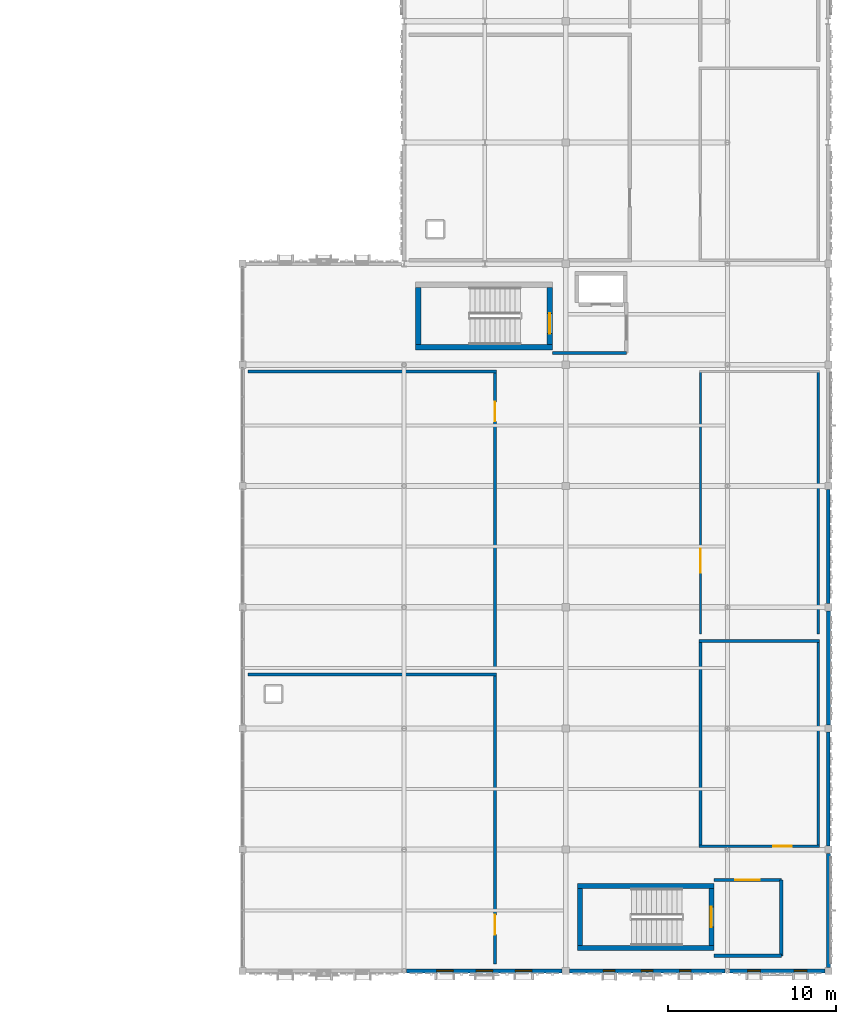
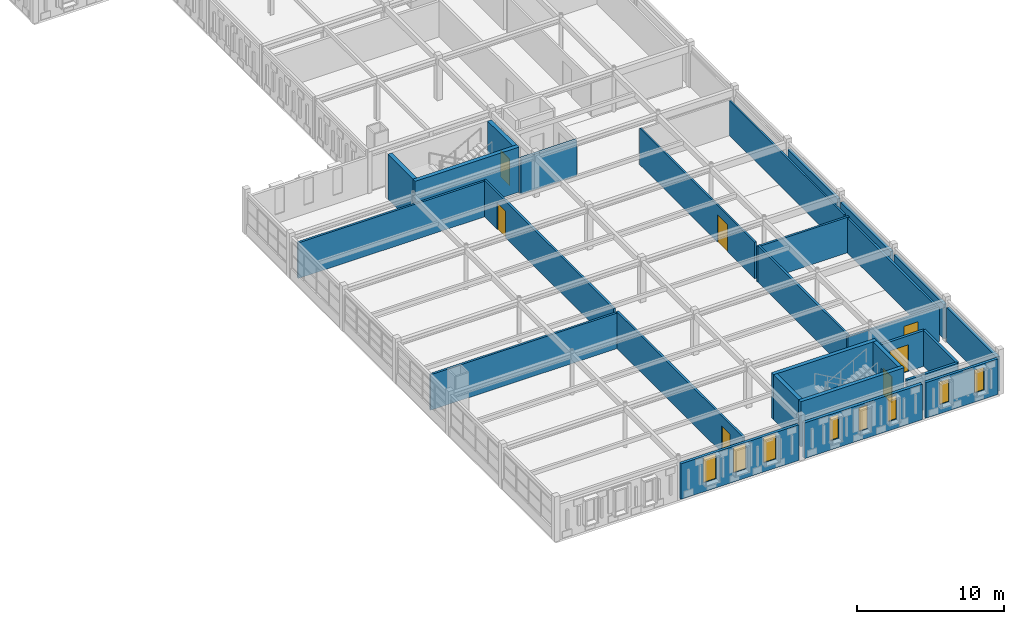
# One storey, part 29 of 46: 28 walls, 8 windows, 7 doors, 15 openings.
"""IFC4 building model written with IfcOpenShell, lengths in metres."""

from ifc_helpers import new_model, si_unit, direction, frame, frame_2d, origin, place, context, subcontext, project, spatial, rectangle, extrude, material, layer, layer_set, type_object, element, fill, save


model = new_model("IFC4")

# Units and contexts
model_context = context("Model", 3, precision=1e-05, world=origin(), true_north=direction((0.0, 1.0)))
body_context = subcontext(model_context, "Body", "Model", "MODEL_VIEW")
ifc_project = project(units=[si_unit("LENGTHUNIT", "METRE"), si_unit("AREAUNIT", "SQUARE_METRE"), si_unit("VOLUMEUNIT", "CUBIC_METRE"), si_unit("PLANEANGLEUNIT", "RADIAN"), si_unit("MASSUNIT", "GRAM", prefix="KILO")], contexts=[model_context])

# Site, building, storey
site_placement = place(None, origin())
site = spatial("IfcSite", under=ifc_project, at=site_placement, CompositionType="ELEMENT")
building_placement = place(site_placement, origin())
building = spatial("IfcBuilding", under=site, at=building_placement, Name="Nzembalo Square Collegiate School", CompositionType="ELEMENT")
storey_placement = place(building_placement, frame((0.0, 0.0, 17.340087890625)))
storey = spatial("IfcBuildingStorey", under=building, at=storey_placement, Name="L04", CompositionType="ELEMENT", Elevation=17.340087890625)

# Walls
ifc_material_1 = material(Name="Concrete C40/50", Category="concrete")
ifc_layer_1 = layer(ifc_material_1, 0.320068359375, Name="Concrete C40/50")
ifc_layer_set_1 = layer_set([ifc_layer_1], Name="Concrete C40/50")
wall_type_1 = type_object("IfcWallType", Name="SW01", PredefinedType="SHEAR", material=ifc_layer_set_1)
wall_1_placement = place(storey_placement, frame((141.239990234375, 45.60009765625, 0.0), z_axis=(0.0, 0.0, 1.0), x_axis=(0.0, 1.0, 0.0)))
element("IfcWall", 1, at=wall_1_placement, inside=storey, type_object=wall_type_1, Name="Core C5 stair shear wall W L04", PredefinedType="SHEAR", context=body_context, shape_type="SweptSolid", body=[
    extrude(rectangle(XDim=3.39990234375, YDim=0.320068359375, at=frame_2d((1.699951171875, 0.0))), origin(), (0.0, 0.0, 1.0), 3.739990234375),
])
wall_2_placement = place(storey_placement, frame((141.080078125, 45.43994140625, 0.0), z_axis=(0.0, 0.0, 1.0), x_axis=(1.0, 0.0, 0.0)))
element("IfcWall", 2, at=wall_2_placement, inside=storey, type_object=wall_type_1, Name="Core C5 stair shear wall S L04", PredefinedType="SHEAR", context=body_context, shape_type="SweptSolid", body=[
    extrude(rectangle(XDim=8.139892578125, YDim=0.320068359375, at=frame_2d((4.06982421875, 0.0))), origin(), (0.0, 0.0, 1.0), 3.739990234375),
])

# Wall, opening, door
wall_3_placement = place(storey_placement, frame((149.06005859375, 45.60009765625, 0.0), z_axis=(0.0, 0.0, 1.0), x_axis=(0.0, 1.0, 0.0)))
wall_3 = element("IfcWall", 3, at=wall_3_placement, inside=storey, type_object=wall_type_1, Name="Core C5 stair shear wall E L04", PredefinedType="SHEAR", context=body_context, shape_type="SweptSolid", body=[
    extrude(rectangle(XDim=3.39990234375, YDim=0.320068359375, at=frame_2d((1.699951171875, 0.0))), origin(), (0.0, 0.0, 1.0), 3.739990234375),
])
opening_1_placement = place(wall_3_placement, frame((0.64990234375, 0.0, 0.0)))
opening_1 = element("IfcOpeningElement", 4, at=opening_1_placement, cuts=wall_3, Name="Opening FD-054", PredefinedType="OPENING", context=body_context, shape_type="SweptSolid", body=[
    extrude(rectangle(XDim=1.199951171875, YDim=2.199951171875, at=frame_2d((0.60009765625, 1.10009765625))), frame((0.0, 0.169921875, 0.0), z_axis=(0.0, -1.0, 0.0), x_axis=(1.0, 0.0, 0.0)), (0.0, 0.0, 1.0), 0.340087890625),
])
ifc_material_2 = material(Name="Fire-rated steel acoustic door", Category="steel")
door_type_1 = type_object("IfcDoorType", Name="FD01", OperationType="NOTDEFINED", PredefinedType="DOOR", material=ifc_material_2)
door_1_placement = place(opening_1_placement, origin())
door_1 = element("IfcDoor", 5, at=door_1_placement, inside=storey, type_object=door_type_1, Name="Stair fire door FD-054", OperationType="SINGLE_SWING_RIGHT", OverallHeight=2.199951171875, OverallWidth=1.199951171875, PredefinedType="DOOR", context=body_context, shape_type="SweptSolid", body=[
    extrude(rectangle(XDim=1.199951171875, YDim=2.199951171875, at=frame_2d((0.60009765625, 1.10009765625))), frame((0.0, 0.02490234375, 0.0), z_axis=(0.0, -1.0, 0.0), x_axis=(1.0, 0.0, 0.0)), (0.0, 0.0, 1.0), 0.050048828125),
])
fill(opening_1, door_1)

# Walls
ifc_material_3 = material(Name="Concrete C40/50", Category="concrete")
ifc_layer_2 = layer(ifc_material_3, 0.300048828125, Name="Concrete C40/50")
ifc_layer_set_2 = layer_set([ifc_layer_2], Name="Concrete C40/50")
wall_type_2 = type_object("IfcWallType", Name="SW02", PredefinedType="SHEAR", material=ifc_layer_set_2)
wall_4_placement = place(storey_placement, frame((150.85009765625, 9.89990234375, 0.0), z_axis=(0.0, 0.0, 1.0), x_axis=(0.0, 1.0, 0.0)))
element("IfcWall", 6, at=wall_4_placement, inside=storey, type_object=wall_type_2, Name="Core C6 stair shear wall W L04", PredefinedType="SHEAR", context=body_context, shape_type="SweptSolid", body=[
    extrude(rectangle(XDim=3.400146484375, YDim=0.300048828125, at=frame_2d((1.7001953125, 0.0))), origin(), (0.0, 0.0, 1.0), 3.739990234375),
])
for number, where, z_axis, x_axis, name in (
    (7, (150.699951171875, 9.75, 0.0), (0.0, 0.0, 1.0), (1.0, 0.0, 0.0), "Core C6 stair shear wall S L04"),
    (8, (150.699951171875, 13.449951171875, 0.0), (0.0, 0.0, 1.0), (1.0, 0.0, 0.0), "Core C6 stair shear wall N L04"),
):
    element("IfcWall", number, at=place(storey_placement, frame(where, z_axis=z_axis, x_axis=x_axis)), inside=storey, type_object=wall_type_2, Name=name, PredefinedType="SHEAR", context=body_context, shape_type="SweptSolid", body=[
        extrude(rectangle(XDim=8.10009765625, YDim=0.300048828125, at=frame_2d((4.050048828125, 0.0))), origin(), (0.0, 0.0, 1.0), 3.739990234375),
    ])

# Wall, opening, door
wall_5_placement = place(storey_placement, frame((158.64990234375, 9.89990234375, 0.0), z_axis=(0.0, 0.0, 1.0), x_axis=(0.0, 1.0, 0.0)))
wall_5 = element("IfcWall", 9, at=wall_5_placement, inside=storey, type_object=wall_type_2, Name="Core C6 stair shear wall E L04", PredefinedType="SHEAR", context=body_context, shape_type="SweptSolid", body=[
    extrude(rectangle(XDim=3.400146484375, YDim=0.300048828125, at=frame_2d((1.7001953125, 0.0))), origin(), (0.0, 0.0, 1.0), 3.739990234375),
])
opening_2_placement = place(wall_5_placement, frame((1.10009765625, 0.0, 0.0)))
opening_2 = element("IfcOpeningElement", 10, at=opening_2_placement, cuts=wall_5, Name="Opening FD-066", PredefinedType="OPENING", context=body_context, shape_type="SweptSolid", body=[
    extrude(rectangle(XDim=1.199951171875, YDim=2.199951171875, at=frame_2d((0.60009765625, 1.10009765625))), frame((0.0, 0.16015625, 0.0), z_axis=(0.0, -1.0, 0.0), x_axis=(1.0, 0.0, 0.0)), (0.0, 0.0, 1.0), 0.320068359375),
])
door_2_placement = place(opening_2_placement, origin())
door_2 = element("IfcDoor", 11, at=door_2_placement, inside=storey, type_object=door_type_1, Name="Stair fire door FD-066", OperationType="SINGLE_SWING_RIGHT", OverallHeight=2.199951171875, OverallWidth=1.199951171875, PredefinedType="DOOR", context=body_context, shape_type="SweptSolid", body=[
    extrude(rectangle(XDim=1.199951171875, YDim=2.199951171875, at=frame_2d((0.60009765625, 1.10009765625))), frame((0.0, 0.02490234375, 0.0), z_axis=(0.0, -1.0, 0.0), x_axis=(1.0, 0.0, 0.0)), (0.0, 0.0, 1.0), 0.050048828125),
])
fill(opening_2, door_2)

# Walls
ifc_material_4 = material(Name="CLT CL24", Category="wood")
ifc_layer_3 = layer(ifc_material_4, 0.2451171875, Name="CLT CL24")
ifc_layer_set_3 = layer_set([ifc_layer_3], Name="CLT CL24")
wall_type_3 = type_object("IfcWallType", Name="W07", PredefinedType="SOLIDWALL", material=ifc_layer_set_3)
wall_6_placement = place(storey_placement, frame((165.60009765625, 8.612060546875, 0.0), z_axis=(0.0, 0.0, 1.0), x_axis=(0.0, 1.0, 0.0)))
element("IfcWall", 12, at=wall_6_placement, inside=storey, type_object=wall_type_3, Name="Exterior wall W07 L04", PredefinedType="SOLIDWALL", context=body_context, shape_type="SweptSolid", body=[
    extrude(rectangle(XDim=6.77587890625, YDim=0.2451171875, at=frame_2d((3.387939453125, 0.0))), origin(), (0.0, 0.0, 1.0), 2.868896484375),
])
wall_7_placement = place(storey_placement, frame((165.60009765625, 23.011962890625, 0.0), z_axis=(0.0, 0.0, 1.0), x_axis=(0.0, 1.0, 0.0)))
element("IfcWall", 13, at=wall_7_placement, inside=storey, type_object=wall_type_3, Name="Exterior wall W07 L04", PredefinedType="SOLIDWALL", context=body_context, shape_type="SweptSolid", body=[
    extrude(rectangle(XDim=6.776123046875, YDim=0.2451171875, at=frame_2d((3.38818359375, 0.0))), origin(), (0.0, 0.0, 1.0), 2.868896484375),
])

# Wall, openings, windows
wall_8_placement = place(storey_placement, frame((150.2119140625, 8.39990234375, 0.0), z_axis=(0.0, 0.0, 1.0), x_axis=(1.0, 0.0, 0.0)))
wall_8 = element("IfcWall", 14, at=wall_8_placement, inside=storey, type_object=wall_type_3, Name="Exterior wall W07 L04", PredefinedType="SOLIDWALL", context=body_context, shape_type="SweptSolid", body=[
    extrude(rectangle(XDim=9.24951171875, YDim=0.2451171875, at=frame_2d((4.624755859375, 0.0))), origin(), (0.0, 0.0, 1.0), 2.948974609375),
])
opening_3_placement = place(wall_8_placement, frame((2.0224609375, 0.0, 0.75)))
opening_3 = element("IfcOpeningElement", 15, at=opening_3_placement, cuts=wall_8, Name="Opening WN-L04-947", PredefinedType="OPENING", context=body_context, shape_type="SweptSolid", body=[
    extrude(rectangle(XDim=0.679931640625, YDim=1.9599609375, at=frame_2d((0.33984375, 0.97998046875))), frame((0.0, 0.132568359375, 0.0), z_axis=(0.0, -1.0, 0.0), x_axis=(1.0, 0.0, 0.0)), (0.0, 0.0, 1.0), 0.26513671875),
])
opening_4_placement = place(wall_8_placement, frame((4.28466796875, 0.0, 0.75)))
opening_4 = element("IfcOpeningElement", 16, at=opening_4_placement, cuts=wall_8, Name="Opening WN-L04-948", PredefinedType="OPENING", context=body_context, shape_type="SweptSolid", body=[
    extrude(rectangle(XDim=0.679931640625, YDim=1.9599609375, at=frame_2d((0.33984375, 0.97998046875))), frame((0.0, 0.132568359375, 0.0), z_axis=(0.0, -1.0, 0.0), x_axis=(1.0, 0.0, 0.0)), (0.0, 0.0, 1.0), 0.26513671875),
])
opening_5_placement = place(wall_8_placement, frame((6.547119140625, 0.0, 0.75)))
opening_5 = element("IfcOpeningElement", 17, at=opening_5_placement, cuts=wall_8, Name="Opening WN-L04-949", PredefinedType="OPENING", context=body_context, shape_type="SweptSolid", body=[
    extrude(rectangle(XDim=0.679931640625, YDim=1.9599609375, at=frame_2d((0.33984375, 0.97998046875))), frame((0.0, 0.132568359375, 0.0), z_axis=(0.0, -1.0, 0.0), x_axis=(1.0, 0.0, 0.0)), (0.0, 0.0, 1.0), 0.26513671875),
])
ifc_material_5 = material(Name="Powder-coated aluminium and low-E double glazing", Category="aluminium")
window_type_1 = type_object("IfcWindowType", Name="WN60", PartitioningType="SINGLE_PANEL", PredefinedType="WINDOW", material=ifc_material_5)
window_1_placement = place(opening_3_placement, origin())
window_1 = element("IfcWindow", 18, at=window_1_placement, inside=storey, type_object=window_type_1, Name="Lancet window WN-L04-947", OverallHeight=1.9599609375, OverallWidth=0.679931640625, PartitioningType="SINGLE_PANEL", PredefinedType="WINDOW", context=body_context, shape_type="SweptSolid", body=[
    extrude(rectangle(XDim=0.679931640625, YDim=1.9599609375, at=frame_2d((0.33984375, 0.97998046875))), frame((0.0, 0.030029296875, 0.0), z_axis=(0.0, -1.0, 0.0), x_axis=(1.0, 0.0, 0.0)), (0.0, 0.0, 1.0), 0.06005859375),
])
fill(opening_3, window_1)
window_2_placement = place(opening_4_placement, origin())
window_2 = element("IfcWindow", 19, at=window_2_placement, inside=storey, type_object=window_type_1, Name="Lancet window WN-L04-948", OverallHeight=1.9599609375, OverallWidth=0.679931640625, PartitioningType="SINGLE_PANEL", PredefinedType="WINDOW", context=body_context, shape_type="SweptSolid", body=[
    extrude(rectangle(XDim=0.679931640625, YDim=1.9599609375, at=frame_2d((0.33984375, 0.97998046875))), frame((0.0, 0.030029296875, 0.0), z_axis=(0.0, -1.0, 0.0), x_axis=(1.0, 0.0, 0.0)), (0.0, 0.0, 1.0), 0.06005859375),
])
fill(opening_4, window_2)
window_3_placement = place(opening_5_placement, origin())
window_3 = element("IfcWindow", 20, at=window_3_placement, inside=storey, type_object=window_type_1, Name="Lancet window WN-L04-949", OverallHeight=1.9599609375, OverallWidth=0.679931640625, PartitioningType="SINGLE_PANEL", PredefinedType="WINDOW", context=body_context, shape_type="SweptSolid", body=[
    extrude(rectangle(XDim=0.679931640625, YDim=1.9599609375, at=frame_2d((0.33984375, 0.97998046875))), frame((0.0, 0.030029296875, 0.0), z_axis=(0.0, -1.0, 0.0), x_axis=(1.0, 0.0, 0.0)), (0.0, 0.0, 1.0), 0.06005859375),
])
fill(opening_5, window_3)

# Walls
ifc_material_6 = material(Name="CLT CL24", Category="wood")
ifc_layer_4 = layer(ifc_material_6, 0.215087890625, Name="CLT CL24")
ifc_layer_set_4 = layer_set([ifc_layer_4], Name="CLT CL24")
wall_type_4 = type_object("IfcWallType", Name="W08", PredefinedType="SOLIDWALL", material=ifc_layer_set_4)
wall_9_placement = place(storey_placement, frame((165.60009765625, 15.81201171875, 0.0), z_axis=(0.0, 0.0, 1.0), x_axis=(0.0, 1.0, 0.0)))
element("IfcWall", 21, at=wall_9_placement, inside=storey, type_object=wall_type_4, Name="Exterior wall W08 L04", PredefinedType="SOLIDWALL", context=body_context, shape_type="SweptSolid", body=[
    extrude(rectangle(XDim=6.77587890625, YDim=0.215087890625, at=frame_2d((3.387939453125, 0.0))), origin(), (0.0, 0.0, 1.0), 2.868896484375),
])
wall_10_placement = place(storey_placement, frame((165.60009765625, 30.2119140625, 0.0), z_axis=(0.0, 0.0, 1.0), x_axis=(0.0, 1.0, 0.0)))
element("IfcWall", 22, at=wall_10_placement, inside=storey, type_object=wall_type_4, Name="Exterior wall W08 L04", PredefinedType="SOLIDWALL", context=body_context, shape_type="SweptSolid", body=[
    extrude(rectangle(XDim=6.776123046875, YDim=0.215087890625, at=frame_2d((3.38818359375, 0.0))), origin(), (0.0, 0.0, 1.0), 2.868896484375),
])

# Wall, openings, windows
wall_11_placement = place(storey_placement, frame((140.53857421875, 8.39990234375, 0.0), z_axis=(0.0, 0.0, 1.0), x_axis=(1.0, 0.0, 0.0)))
wall_11 = element("IfcWall", 23, at=wall_11_placement, inside=storey, type_object=wall_type_4, Name="Exterior wall W08 L04", PredefinedType="SOLIDWALL", context=body_context, shape_type="SweptSolid", body=[
    extrude(rectangle(XDim=9.24951171875, YDim=0.215087890625, at=frame_2d((4.624755859375, 0.0))), origin(), (0.0, 0.0, 1.0), 2.948974609375),
])
opening_6_placement = place(wall_11_placement, frame((1.79736328125, 0.0, 0.75)))
opening_6 = element("IfcOpeningElement", 24, at=opening_6_placement, cuts=wall_11, Name="Opening WN-L04-928", PredefinedType="OPENING", context=body_context, shape_type="SweptSolid", body=[
    extrude(rectangle(XDim=0.97998046875, YDim=2.080078125, at=frame_2d((0.489990234375, 1.0400390625))), frame((0.0, 0.11767578125, 0.0), z_axis=(0.0, -1.0, 0.0), x_axis=(1.0, 0.0, 0.0)), (0.0, 0.0, 1.0), 0.235107421875),
])
opening_7_placement = place(wall_11_placement, frame((4.134765625, 0.0, 0.75)))
opening_7 = element("IfcOpeningElement", 25, at=opening_7_placement, cuts=wall_11, Name="Opening WN-L04-929", PredefinedType="OPENING", context=body_context, shape_type="SweptSolid", body=[
    extrude(rectangle(XDim=0.97998046875, YDim=2.080078125, at=frame_2d((0.489990234375, 1.0400390625))), frame((0.0, 0.11767578125, 0.0), z_axis=(0.0, -1.0, 0.0), x_axis=(1.0, 0.0, 0.0)), (0.0, 0.0, 1.0), 0.235107421875),
])
opening_8_placement = place(wall_11_placement, frame((6.47216796875, 0.0, 0.75)))
opening_8 = element("IfcOpeningElement", 26, at=opening_8_placement, cuts=wall_11, Name="Opening WN-L04-930", PredefinedType="OPENING", context=body_context, shape_type="SweptSolid", body=[
    extrude(rectangle(XDim=0.97998046875, YDim=2.080078125, at=frame_2d((0.489990234375, 1.0400390625))), frame((0.0, 0.11767578125, 0.0), z_axis=(0.0, -1.0, 0.0), x_axis=(1.0, 0.0, 0.0)), (0.0, 0.0, 1.0), 0.235107421875),
])
ifc_material_7 = material(Name="Powder-coated aluminium and low-E double glazing", Category="aluminium")
window_type_2 = type_object("IfcWindowType", Name="WN41", PartitioningType="SINGLE_PANEL", PredefinedType="WINDOW", material=ifc_material_7)
window_4_placement = place(opening_6_placement, origin())
window_4 = element("IfcWindow", 27, at=window_4_placement, inside=storey, type_object=window_type_2, Name="Lancet window WN-L04-928", OverallHeight=2.080078125, OverallWidth=0.97998046875, PartitioningType="SINGLE_PANEL", PredefinedType="WINDOW", context=body_context, shape_type="SweptSolid", body=[
    extrude(rectangle(XDim=0.97998046875, YDim=2.080078125, at=frame_2d((0.489990234375, 1.0400390625))), frame((0.0, 0.030029296875, 0.0), z_axis=(0.0, -1.0, 0.0), x_axis=(1.0, 0.0, 0.0)), (0.0, 0.0, 1.0), 0.06005859375),
])
fill(opening_6, window_4)
window_5_placement = place(opening_7_placement, origin())
window_5 = element("IfcWindow", 28, at=window_5_placement, inside=storey, type_object=window_type_2, Name="Lancet window WN-L04-929", OverallHeight=2.080078125, OverallWidth=0.97998046875, PartitioningType="SINGLE_PANEL", PredefinedType="WINDOW", context=body_context, shape_type="SweptSolid", body=[
    extrude(rectangle(XDim=0.97998046875, YDim=2.080078125, at=frame_2d((0.489990234375, 1.0400390625))), frame((0.0, 0.030029296875, 0.0), z_axis=(0.0, -1.0, 0.0), x_axis=(1.0, 0.0, 0.0)), (0.0, 0.0, 1.0), 0.06005859375),
])
fill(opening_7, window_5)
window_6_placement = place(opening_8_placement, origin())
window_6 = element("IfcWindow", 29, at=window_6_placement, inside=storey, type_object=window_type_2, Name="Lancet window WN-L04-930", OverallHeight=2.080078125, OverallWidth=0.97998046875, PartitioningType="SINGLE_PANEL", PredefinedType="WINDOW", context=body_context, shape_type="SweptSolid", body=[
    extrude(rectangle(XDim=0.97998046875, YDim=2.080078125, at=frame_2d((0.489990234375, 1.0400390625))), frame((0.0, 0.030029296875, 0.0), z_axis=(0.0, -1.0, 0.0), x_axis=(1.0, 0.0, 0.0)), (0.0, 0.0, 1.0), 0.06005859375),
])
fill(opening_8, window_6)

wall_12_placement = place(storey_placement, frame((159.738525390625, 8.39990234375, 0.0), z_axis=(0.0, 0.0, 1.0), x_axis=(1.0, 0.0, 0.0)))
wall_12 = element("IfcWall", 30, at=wall_12_placement, inside=storey, type_object=wall_type_4, Name="Exterior wall W08 L04", PredefinedType="SOLIDWALL", context=body_context, shape_type="SweptSolid", body=[
    extrude(rectangle(XDim=5.6494140625, YDim=0.215087890625, at=frame_2d((2.82470703125, 0.0))), origin(), (0.0, 0.0, 1.0), 2.948974609375),
])
opening_9_placement = place(wall_12_placement, frame((1.06982421875, 0.0, 0.75)))
opening_9 = element("IfcOpeningElement", 31, at=opening_9_placement, cuts=wall_12, Name="Opening WN-L04-964", PredefinedType="OPENING", context=body_context, shape_type="SweptSolid", body=[
    extrude(rectangle(XDim=0.75, YDim=1.89990234375, at=frame_2d((0.375, 0.949951171875))), frame((0.0, 0.11767578125, 0.0), z_axis=(0.0, -1.0, 0.0), x_axis=(1.0, 0.0, 0.0)), (0.0, 0.0, 1.0), 0.235107421875),
])
opening_10_placement = place(wall_12_placement, frame((3.82958984375, 0.0, 0.75)))
opening_10 = element("IfcOpeningElement", 32, at=opening_10_placement, cuts=wall_12, Name="Opening WN-L04-965", PredefinedType="OPENING", context=body_context, shape_type="SweptSolid", body=[
    extrude(rectangle(XDim=0.75, YDim=1.89990234375, at=frame_2d((0.375, 0.949951171875))), frame((0.0, 0.11767578125, 0.0), z_axis=(0.0, -1.0, 0.0), x_axis=(1.0, 0.0, 0.0)), (0.0, 0.0, 1.0), 0.235107421875),
])
ifc_material_8 = material(Name="Powder-coated aluminium and low-E double glazing", Category="aluminium")
window_type_3 = type_object("IfcWindowType", Name="WN03", PartitioningType="SINGLE_PANEL", PredefinedType="WINDOW", material=ifc_material_8)
window_7_placement = place(opening_9_placement, origin())
window_7 = element("IfcWindow", 33, at=window_7_placement, inside=storey, type_object=window_type_3, Name="Lancet window WN-L04-964", OverallHeight=1.89990234375, OverallWidth=0.75, PartitioningType="SINGLE_PANEL", PredefinedType="WINDOW", context=body_context, shape_type="SweptSolid", body=[
    extrude(rectangle(XDim=0.75, YDim=1.89990234375, at=frame_2d((0.375, 0.949951171875))), frame((0.0, 0.030029296875, 0.0), z_axis=(0.0, -1.0, 0.0), x_axis=(1.0, 0.0, 0.0)), (0.0, 0.0, 1.0), 0.06005859375),
])
fill(opening_9, window_7)
window_8_placement = place(opening_10_placement, origin())
window_8 = element("IfcWindow", 34, at=window_8_placement, inside=storey, type_object=window_type_3, Name="Lancet window WN-L04-965", OverallHeight=1.89990234375, OverallWidth=0.75, PartitioningType="SINGLE_PANEL", PredefinedType="WINDOW", context=body_context, shape_type="SweptSolid", body=[
    extrude(rectangle(XDim=0.75, YDim=1.89990234375, at=frame_2d((0.375, 0.949951171875))), frame((0.0, 0.030029296875, 0.0), z_axis=(0.0, -1.0, 0.0), x_axis=(1.0, 0.0, 0.0)), (0.0, 0.0, 1.0), 0.06005859375),
])
fill(opening_10, window_8)

# Walls
ifc_material_9 = material(Name="Concrete blockwork C25/30", Category="masonry")
ifc_layer_5 = layer(ifc_material_9, 0.199951171875, Name="Concrete blockwork C25/30")
ifc_layer_set_5 = layer_set([ifc_layer_5], Name="Concrete blockwork C25/30")
wall_type_5 = type_object("IfcWallType", Name="W11", PredefinedType="PARTITIONING", material=ifc_layer_set_5)
wall_13_placement = place(storey_placement, frame((149.219970703125, 45.10009765625, 0.0), z_axis=(0.0, 0.0, 1.0), x_axis=(1.0, 0.0, 0.0)))
element("IfcWall", 35, at=wall_13_placement, inside=storey, type_object=wall_type_5, Name="Core C5 EI 60 lobby wall S L04", PredefinedType="PARTITIONING", context=body_context, shape_type="SweptSolid", body=[
    extrude(rectangle(XDim=4.380126953125, YDim=0.199951171875, at=frame_2d((2.18994140625, 0.0))), origin(), (0.0, 0.0, 1.0), 2.948974609375),
])
wall_14_placement = place(storey_placement, frame((162.800048828125, 9.300048828125, 0.0), z_axis=(0.0, 0.0, 1.0), x_axis=(0.0, 1.0, 0.0)))
element("IfcWall", 36, at=wall_14_placement, inside=storey, type_object=wall_type_5, Name="Core C6 EI 60 lobby wall E L04", PredefinedType="PARTITIONING", context=body_context, shape_type="SweptSolid", body=[
    extrude(rectangle(XDim=4.5, YDim=0.199951171875, at=frame_2d((2.25, 0.0))), origin(), (0.0, 0.0, 1.0), 2.948974609375),
])
wall_15_placement = place(storey_placement, frame((158.800048828125, 9.300048828125, 0.0), z_axis=(0.0, 0.0, 1.0), x_axis=(1.0, 0.0, 0.0)))
element("IfcWall", 37, at=wall_15_placement, inside=storey, type_object=wall_type_5, Name="Core C6 EI 60 lobby wall S L04", PredefinedType="PARTITIONING", context=body_context, shape_type="SweptSolid", body=[
    extrude(rectangle(XDim=4.0, YDim=0.199951171875, at=frame_2d((2.0, 0.0))), origin(), (0.0, 0.0, 1.0), 2.948974609375),
])

# Wall, opening, door
wall_16_placement = place(storey_placement, frame((158.800048828125, 13.800048828125, 0.0), z_axis=(0.0, 0.0, 1.0), x_axis=(1.0, 0.0, 0.0)))
wall_16 = element("IfcWall", 38, at=wall_16_placement, inside=storey, type_object=wall_type_5, Name="Core C6 EI 60 lobby wall N L04", PredefinedType="PARTITIONING", context=body_context, shape_type="SweptSolid", body=[
    extrude(rectangle(XDim=4.0, YDim=0.199951171875, at=frame_2d((2.0, 0.0))), origin(), (0.0, 0.0, 1.0), 2.948974609375),
])
opening_11_placement = place(wall_16_placement, frame((1.27490234375, 0.0, 0.0)))
opening_11 = element("IfcOpeningElement", 39, at=opening_11_placement, cuts=wall_16, Name="Opening FD-067", PredefinedType="OPENING", context=body_context, shape_type="SweptSolid", body=[
    extrude(rectangle(XDim=1.449951171875, YDim=2.199951171875, at=frame_2d((0.72509765625, 1.10009765625))), frame((0.0, 0.10986328125, 0.0), z_axis=(0.0, -1.0, 0.0), x_axis=(1.0, 0.0, 0.0)), (0.0, 0.0, 1.0), 0.219970703125),
])
ifc_material_10 = material(Name="Fire-rated double lobby door")
door_type_2 = type_object("IfcDoorType", Name="FD02", OperationType="DOUBLE_DOOR_SINGLE_SWING", PredefinedType="DOOR", material=ifc_material_10)
door_3_placement = place(opening_11_placement, origin())
door_3 = element("IfcDoor", 40, at=door_3_placement, inside=storey, type_object=door_type_2, Name="Protected lobby fire door FD-067", OperationType="DOUBLE_DOOR_SINGLE_SWING", OverallHeight=2.199951171875, OverallWidth=1.449951171875, PredefinedType="DOOR", context=body_context, shape_type="SweptSolid", body=[
    extrude(rectangle(XDim=1.449951171875, YDim=2.199951171875, at=frame_2d((0.72509765625, 1.10009765625))), frame((0.0, 0.02490234375, 0.0), z_axis=(0.0, -1.0, 0.0), x_axis=(1.0, 0.0, 0.0)), (0.0, 0.0, 1.0), 0.050048828125),
])
fill(opening_11, door_3)

# Wall
ifc_material_11 = material(Name="Moisture-resistant acoustic stud")
ifc_layer_6 = layer(ifc_material_11, 0.1650390625, Name="Moisture-resistant acoustic stud")
ifc_layer_set_6 = layer_set([ifc_layer_6], Name="Moisture-resistant acoustic stud")
wall_type_6 = type_object("IfcWallType", Name="W15", PredefinedType="PARTITIONING", material=ifc_layer_set_6)
wall_17_placement = place(storey_placement, frame((131.117431640625, 26.0, 0.0), z_axis=(0.0, 0.0, 1.0), x_axis=(1.0, 0.0, 0.0)))
element("IfcWall", 41, at=wall_17_placement, inside=storey, type_object=wall_type_6, Name="Interior partition W15 L04-030-N", PredefinedType="PARTITIONING", context=body_context, shape_type="SweptSolid", body=[
    extrude(rectangle(XDim=14.76513671875, YDim=0.1650390625, at=frame_2d((7.382568359375, 0.0))), origin(), (0.0, 0.0, 1.0), 2.948974609375),
])

# Wall, opening, door
wall_18_placement = place(storey_placement, frame((145.800048828125, 8.800048828125, 0.0), z_axis=(0.0, 0.0, 1.0), x_axis=(0.0, 1.0, 0.0)))
wall_18 = element("IfcWall", 42, at=wall_18_placement, inside=storey, type_object=wall_type_6, Name="Interior partition W15 L04-030-E", PredefinedType="PARTITIONING", context=body_context, shape_type="SweptSolid", body=[
    extrude(rectangle(XDim=17.199951171875, YDim=0.1650390625, at=frame_2d((8.60009765625, 0.0))), origin(), (0.0, 0.0, 1.0), 3.02880859375),
])
opening_12_placement = place(wall_18_placement, frame((1.763916015625, 0.0, 0.0)))
opening_12 = element("IfcOpeningElement", 43, at=opening_12_placement, cuts=wall_18, Name="Opening D-L04-103", PredefinedType="OPENING", context=body_context, shape_type="SweptSolid", body=[
    extrude(rectangle(XDim=1.159912109375, YDim=2.219970703125, at=frame_2d((0.580078125, 1.10986328125))), frame((0.0, 0.092529296875, 0.0), z_axis=(0.0, -1.0, 0.0), x_axis=(1.0, 0.0, 0.0)), (0.0, 0.0, 1.0), 0.18505859375),
])
ifc_material_12 = material(Name="Vision-panel laboratory fire door")
door_type_3 = type_object("IfcDoorType", Name="D03", OperationType="NOTDEFINED", PredefinedType="DOOR", material=ifc_material_12)
door_4_placement = place(opening_12_placement, origin())
door_4 = element("IfcDoor", 44, at=door_4_placement, inside=storey, type_object=door_type_3, Name="Interior door D-L04-103 (Advanced Biochemistry Science Laboratory 9)", OperationType="SINGLE_SWING_LEFT", OverallHeight=2.219970703125, OverallWidth=1.159912109375, PredefinedType="DOOR", context=body_context, shape_type="SweptSolid", body=[
    extrude(rectangle(XDim=1.159912109375, YDim=2.219970703125, at=frame_2d((0.580078125, 1.10986328125))), frame((0.0, 0.02490234375, 0.0), z_axis=(0.0, -1.0, 0.0), x_axis=(1.0, 0.0, 0.0)), (0.0, 0.0, 1.0), 0.050048828125),
])
fill(opening_12, door_4)

# Wall
wall_19_placement = place(storey_placement, frame((131.117431640625, 44.0, 0.0), z_axis=(0.0, 0.0, 1.0), x_axis=(1.0, 0.0, 0.0)))
element("IfcWall", 45, at=wall_19_placement, inside=storey, type_object=wall_type_6, Name="Interior partition W15 L04-031-N", PredefinedType="PARTITIONING", context=body_context, shape_type="SweptSolid", body=[
    extrude(rectangle(XDim=14.76513671875, YDim=0.1650390625, at=frame_2d((7.382568359375, 0.0))), origin(), (0.0, 0.0, 1.0), 2.948974609375),
])

# Wall, opening, door
wall_20_placement = place(storey_placement, frame((145.800048828125, 26.39990234375, 0.0), z_axis=(0.0, 0.0, 1.0), x_axis=(0.0, 1.0, 0.0)))
wall_20 = element("IfcWall", 46, at=wall_20_placement, inside=storey, type_object=wall_type_6, Name="Interior partition W15 L04-031-E", PredefinedType="PARTITIONING", context=body_context, shape_type="SweptSolid", body=[
    extrude(rectangle(XDim=17.60009765625, YDim=0.1650390625, at=frame_2d((8.800048828125, 0.0))), origin(), (0.0, 0.0, 1.0), 3.02880859375),
])
opening_13_placement = place(wall_20_placement, frame((14.635986328125, 0.0, 0.0)))
opening_13 = element("IfcOpeningElement", 47, at=opening_13_placement, cuts=wall_20, Name="Opening D-L04-104", PredefinedType="OPENING", context=body_context, shape_type="SweptSolid", body=[
    extrude(rectangle(XDim=1.159912109375, YDim=2.219970703125, at=frame_2d((0.580078125, 1.10986328125))), frame((0.0, 0.092529296875, 0.0), z_axis=(0.0, -1.0, 0.0), x_axis=(1.0, 0.0, 0.0)), (0.0, 0.0, 1.0), 0.18505859375),
])
door_5_placement = place(opening_13_placement, origin())
door_5 = element("IfcDoor", 48, at=door_5_placement, inside=storey, type_object=door_type_3, Name="Interior door D-L04-104 (Advanced Environmental Physics Laboratory 10)", OperationType="SINGLE_SWING_RIGHT", OverallHeight=2.219970703125, OverallWidth=1.159912109375, PredefinedType="DOOR", context=body_context, shape_type="SweptSolid", body=[
    extrude(rectangle(XDim=1.159912109375, YDim=2.219970703125, at=frame_2d((0.580078125, 1.10986328125))), frame((0.0, 0.02490234375, 0.0), z_axis=(0.0, -1.0, 0.0), x_axis=(1.0, 0.0, 0.0)), (0.0, 0.0, 1.0), 0.050048828125),
])
fill(opening_13, door_5)

wall_21_placement = place(storey_placement, frame((157.91748046875, 15.800048828125, 0.0), z_axis=(0.0, 0.0, 1.0), x_axis=(1.0, 0.0, 0.0)))
wall_21 = element("IfcWall", 49, at=wall_21_placement, inside=storey, type_object=wall_type_6, Name="Interior partition W15 L04-033-S", PredefinedType="PARTITIONING", context=body_context, shape_type="SweptSolid", body=[
    extrude(rectangle(XDim=7.1650390625, YDim=0.1650390625, at=frame_2d((3.58251953125, 0.0))), origin(), (0.0, 0.0, 1.0), 2.868896484375),
])
opening_14_placement = place(wall_21_placement, frame((4.392578125, 0.0, 0.0)))
opening_14 = element("IfcOpeningElement", 50, at=opening_14_placement, cuts=wall_21, Name="Opening D-L04-105", PredefinedType="OPENING", context=body_context, shape_type="SweptSolid", body=[
    extrude(rectangle(XDim=1.1201171875, YDim=2.219970703125, at=frame_2d((0.56005859375, 1.10986328125))), frame((0.0, 0.092529296875, 0.0), z_axis=(0.0, -1.0, 0.0), x_axis=(1.0, 0.0, 0.0)), (0.0, 0.0, 1.0), 0.18505859375),
])
ifc_material_13 = material(Name="Laboratory preparation door")
door_type_4 = type_object("IfcDoorType", Name="D15", OperationType="NOTDEFINED", PredefinedType="DOOR", material=ifc_material_13)
door_6_placement = place(opening_14_placement, origin())
door_6 = element("IfcDoor", 51, at=door_6_placement, inside=storey, type_object=door_type_4, Name="Interior door D-L04-105 (Senior Science Preparation Room L04)", OperationType="SINGLE_SWING_LEFT", OverallHeight=2.219970703125, OverallWidth=1.1201171875, PredefinedType="DOOR", context=body_context, shape_type="SweptSolid", body=[
    extrude(rectangle(XDim=1.1201171875, YDim=2.219970703125, at=frame_2d((0.56005859375, 1.10986328125))), frame((0.0, 0.02490234375, 0.0), z_axis=(0.0, -1.0, 0.0), x_axis=(1.0, 0.0, 0.0)), (0.0, 0.0, 1.0), 0.050048828125),
])
fill(opening_14, door_6)

# Walls
wall_22_placement = place(storey_placement, frame((157.91748046875, 28.0, 0.0), z_axis=(0.0, 0.0, 1.0), x_axis=(1.0, 0.0, 0.0)))
element("IfcWall", 52, at=wall_22_placement, inside=storey, type_object=wall_type_6, Name="Interior partition W15 L04-033-N", PredefinedType="PARTITIONING", context=body_context, shape_type="SweptSolid", body=[
    extrude(rectangle(XDim=7.1650390625, YDim=0.1650390625, at=frame_2d((3.58251953125, 0.0))), origin(), (0.0, 0.0, 1.0), 2.948974609375),
])
wall_23_placement = place(storey_placement, frame((158.0, 15.800048828125, 0.0), z_axis=(0.0, 0.0, 1.0), x_axis=(0.0, 1.0, 0.0)))
element("IfcWall", 53, at=wall_23_placement, inside=storey, type_object=wall_type_6, Name="Interior partition W15 L04-033-W", PredefinedType="PARTITIONING", context=body_context, shape_type="SweptSolid", body=[
    extrude(rectangle(XDim=12.199951171875, YDim=0.1650390625, at=frame_2d((6.10009765625, 0.0))), origin(), (0.0, 0.0, 1.0), 3.02880859375),
])
wall_24_placement = place(storey_placement, frame((165.0, 15.800048828125, 0.0), z_axis=(0.0, 0.0, 1.0), x_axis=(0.0, 1.0, 0.0)))
element("IfcWall", 54, at=wall_24_placement, inside=storey, type_object=wall_type_6, Name="Interior partition W15 L04-033-E", PredefinedType="PARTITIONING", context=body_context, shape_type="SweptSolid", body=[
    extrude(rectangle(XDim=12.199951171875, YDim=0.1650390625, at=frame_2d((6.10009765625, 0.0))), origin(), (0.0, 0.0, 1.0), 2.868896484375),
])

# Wall, opening, door
ifc_material_14 = material(Name="Cement-board wet-room partition")
ifc_layer_7 = layer(ifc_material_14, 0.135009765625, Name="Cement-board wet-room partition")
ifc_layer_set_7 = layer_set([ifc_layer_7], Name="Cement-board wet-room partition")
wall_type_7 = type_object("IfcWallType", Name="W19", PredefinedType="PARTITIONING", material=ifc_layer_set_7)
wall_25_placement = place(storey_placement, frame((158.0, 28.39990234375, 0.0), z_axis=(0.0, 0.0, 1.0), x_axis=(0.0, 1.0, 0.0)))
wall_25 = element("IfcWall", 55, at=wall_25_placement, inside=storey, type_object=wall_type_7, Name="Interior partition W19 L04-034-W", PredefinedType="PARTITIONING", context=body_context, shape_type="SweptSolid", body=[
    extrude(rectangle(XDim=15.60009765625, YDim=0.135009765625, at=frame_2d((7.800048828125, 0.0))), origin(), (0.0, 0.0, 1.0), 3.02880859375),
])
opening_15_placement = place(wall_25_placement, frame((3.64501953125, 0.0, 0.0)))
opening_15 = element("IfcOpeningElement", 56, at=opening_15_placement, cuts=wall_25, Name="Opening D-L04-106", PredefinedType="OPENING", context=body_context, shape_type="SweptSolid", body=[
    extrude(rectangle(XDim=1.419921875, YDim=2.260009765625, at=frame_2d((0.7099609375, 1.1298828125))), frame((0.0, 0.07763671875, 0.0), z_axis=(0.0, -1.0, 0.0), x_axis=(1.0, 0.0, 0.0)), (0.0, 0.0, 1.0), 0.155029296875),
])
ifc_material_15 = material(Name="Glazed student cafe double door")
door_type_5 = type_object("IfcDoorType", Name="D17", OperationType="DOUBLE_DOOR_SINGLE_SWING", PredefinedType="DOOR", material=ifc_material_15)
door_7_placement = place(opening_15_placement, origin())
door_7 = element("IfcDoor", 57, at=door_7_placement, inside=storey, type_object=door_type_5, Name="Interior door D-L04-106 (Robotics Fabrication Studio)", OperationType="DOUBLE_DOOR_SINGLE_SWING", OverallHeight=2.260009765625, OverallWidth=1.419921875, PredefinedType="DOOR", context=body_context, shape_type="SweptSolid", body=[
    extrude(rectangle(XDim=1.419921875, YDim=2.260009765625, at=frame_2d((0.7099609375, 1.1298828125))), frame((0.0, 0.02490234375, 0.0), z_axis=(0.0, -1.0, 0.0), x_axis=(1.0, 0.0, 0.0)), (0.0, 0.0, 1.0), 0.050048828125),
])
fill(opening_15, door_7)

# Wall
wall_26_placement = place(storey_placement, frame((165.0, 28.39990234375, 0.0), z_axis=(0.0, 0.0, 1.0), x_axis=(0.0, 1.0, 0.0)))
element("IfcWall", 58, at=wall_26_placement, inside=storey, type_object=wall_type_7, Name="Interior partition W19 L04-034-E", PredefinedType="PARTITIONING", context=body_context, shape_type="SweptSolid", body=[
    extrude(rectangle(XDim=15.60009765625, YDim=0.135009765625, at=frame_2d((7.800048828125, 0.0))), origin(), (0.0, 0.0, 1.0), 2.868896484375),
])

save(model, "model.ifc")
